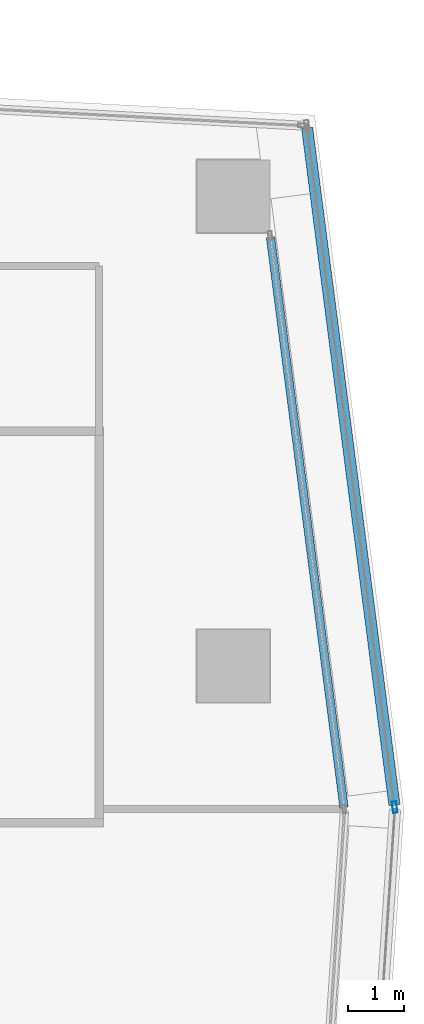
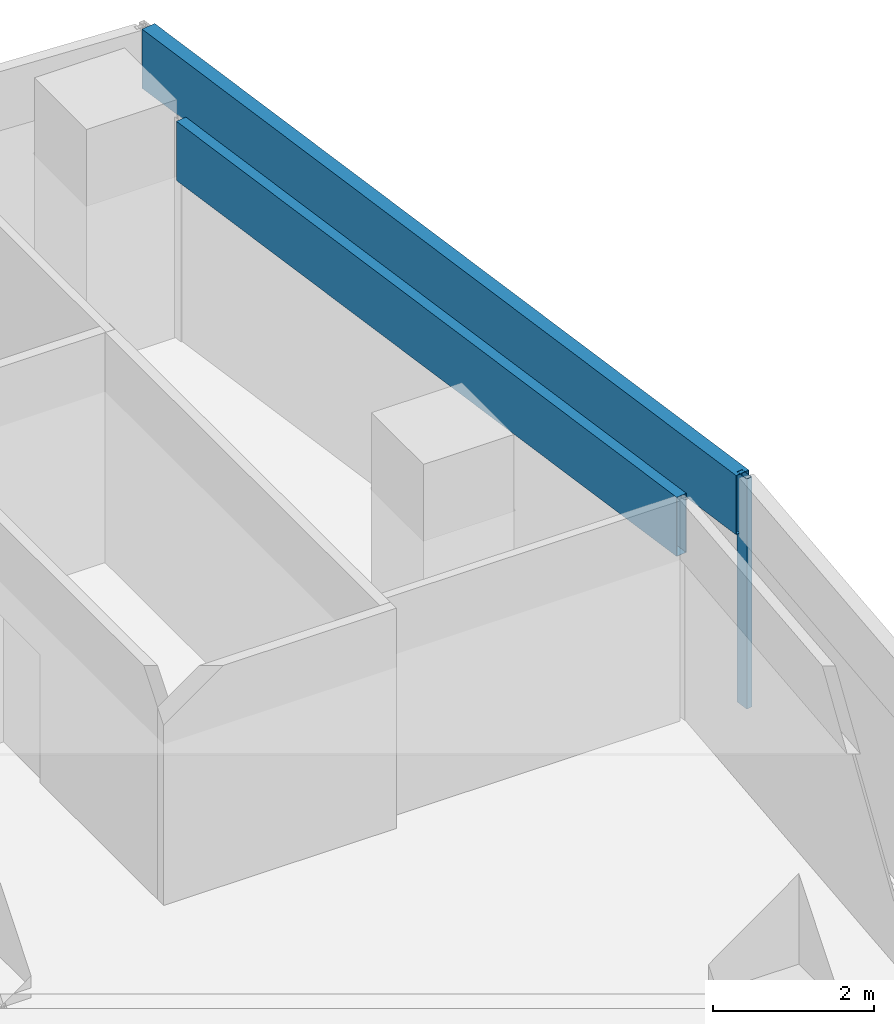
# One storey, part 14 of 29: 3 members, 2 elements without a shape of their own.
"""IFC4 building model written with IfcOpenShell, lengths in metres."""

from ifc_helpers import new_model, si_unit, direction, frame, origin, origin_2d, place, context, subcontext, project, spatial, hollow_rectangle, extrude, material, material_profile, profile_set, type_object, element, aggregate, save


model = new_model("IFC4")

# Units and contexts
model_context = context("Model", 3, precision=1e-05, world=origin(), true_north=direction((0.0, 1.0)))
body_context = subcontext(model_context, "Body", "Model", "MODEL_VIEW")
ifc_project = project(units=[si_unit("LENGTHUNIT", "METRE"), si_unit("AREAUNIT", "SQUARE_METRE"), si_unit("VOLUMEUNIT", "CUBIC_METRE"), si_unit("PLANEANGLEUNIT", "RADIAN"), si_unit("MASSUNIT", "GRAM", prefix="KILO")], contexts=[model_context])

# Site, building, storey
site_placement = place(None, origin())
site = spatial("IfcSite", under=ifc_project, at=site_placement, CompositionType="ELEMENT")
building_placement = place(site_placement, origin())
building = spatial("IfcBuilding", under=site, at=building_placement, Name="Rekha Terrace Tower", CompositionType="ELEMENT")
storey_placement = place(building_placement, frame((0.0, 0.0, 257.60009765625)))
storey = spatial("IfcBuildingStorey", under=building, at=storey_placement, Name="L65", CompositionType="ELEMENT", Elevation=257.60009765625)

# Curtain wall, member
ifc_material_1 = material(Name="Aluminium framing", Category="aluminium")
curtain_wall_type_1 = type_object("IfcCurtainWallType", Name="CW1 double skin inner glazing", PredefinedType="USERDEFINED", material=ifc_material_1)
curtain_wall_1_placement = place(storey_placement, origin())
curtain_wall_1 = element("IfcCurtainWall", 1, at=curtain_wall_1_placement, inside=storey, type_object=curtain_wall_type_1, Name="CW1 double skin inner glazing", ObjectType="DOUBLE SKIN INNER GLAZING", PredefinedType="USERDEFINED")
ifc_material_2 = material(Name="Insulated aluminium spandrel box", Category="aluminium")
ifc_material_profile_1 = material_profile(ifc_material_2, hollow_rectangle(XDim=0.14990234375, YDim=0.89990234375, WallThickness=0.0029296875, at=origin_2d()), Name="AL SPANDREL BOX 150x900")
ifc_profile_set_1 = profile_set([ifc_material_profile_1], Name="Insulated aluminium spandrel box")
member_type_1 = type_object("IfcMemberType", Name="CW1 spandrel transom 150 x 900", PredefinedType="USERDEFINED", material=ifc_profile_set_1)
member_1_placement = place(storey_placement, frame((60.777099609375, 39.471435546875, 3.0498046875), z_axis=(-0.127854523912, 0.991792932378, 0.0), x_axis=(-0.991792932378, -0.127854523912, 0.0)))
member_1 = element("IfcMember", 2, at=member_1_placement, type_object=member_type_1, Name="CW1 spandrel transom 1", ObjectType="TRANSOM", PredefinedType="USERDEFINED", context=body_context, shape_type="SweptSolid", body=[
    extrude(hollow_rectangle(XDim=0.14990234375, YDim=0.89990234375, WallThickness=0.0029296875, at=origin_2d()), origin(), (0.0, 0.0, 1.0), 10.279052734375),
])
aggregate(curtain_wall_1, [member_1])

# Curtain wall, members
curtain_wall_type_2 = type_object("IfcCurtainWallType", Name="CW2 double skin outer glazing", PredefinedType="USERDEFINED", material=ifc_material_1)
curtain_wall_2_placement = place(storey_placement, origin())
curtain_wall_2 = element("IfcCurtainWall", 3, at=curtain_wall_2_placement, inside=storey, type_object=curtain_wall_type_2, Name="CW2 double skin outer glazing", ObjectType="DOUBLE SKIN OUTER GLAZING", PredefinedType="USERDEFINED")
ifc_material_3 = material(Name="Aluminium mullion section", Category="aluminium")
ifc_material_profile_2 = material_profile(ifc_material_3, hollow_rectangle(XDim=0.080078125, YDim=0.199951171875, WallThickness=0.00390625, at=origin_2d()), Name="AL RHS 80x200")
ifc_profile_set_2 = profile_set([ifc_material_profile_2], Name="Aluminium mullion section")
member_type_2 = type_object("IfcMemberType", Name="CW2 mullion RHS 80 x 200", PredefinedType="MULLION", material=ifc_profile_set_2)
member_2_placement = place(storey_placement, frame((61.68408203125, 39.474609375, 0.0), z_axis=(0.0, 0.0, 1.0), x_axis=(-0.991790949459, -0.12786990487, 0.0)))
member_2 = element("IfcMember", 4, at=member_2_placement, type_object=member_type_2, Name="CW2 mullion 1", PredefinedType="MULLION", context=body_context, shape_type="SweptSolid", body=[
    extrude(hollow_rectangle(XDim=0.080078125, YDim=0.199951171875, WallThickness=0.00390625, at=origin_2d()), origin(), (0.0, 0.0, 1.0), 3.5),
])
ifc_material_profile_3 = material_profile(ifc_material_2, hollow_rectangle(XDim=0.199951171875, YDim=0.89990234375, WallThickness=0.0029296875, at=origin_2d()), Name="AL SPANDREL BOX 200x900")
ifc_profile_set_3 = profile_set([ifc_material_profile_3], Name="Insulated aluminium spandrel box")
member_type_3 = type_object("IfcMemberType", Name="CW2 spandrel transom 200 x 900", PredefinedType="USERDEFINED", material=ifc_profile_set_3)
member_3_placement = place(storey_placement, frame((61.67919921875, 39.514404296875, 3.0498046875), z_axis=(-0.127874852181, 0.991790311598, 0.0), x_axis=(-0.991790311598, -0.127874852181, 0.0)))
member_3 = element("IfcMember", 5, at=member_3_placement, type_object=member_type_3, Name="CW2 spandrel transom 1", ObjectType="TRANSOM", PredefinedType="USERDEFINED", context=body_context, shape_type="SweptSolid", body=[
    extrude(hollow_rectangle(XDim=0.199951171875, YDim=0.89990234375, WallThickness=0.0029296875, at=origin_2d()), origin(), (0.0, 0.0, 1.0), 12.20361328125),
])
aggregate(curtain_wall_2, [member_2, member_3])

save(model, "model.ifc")
